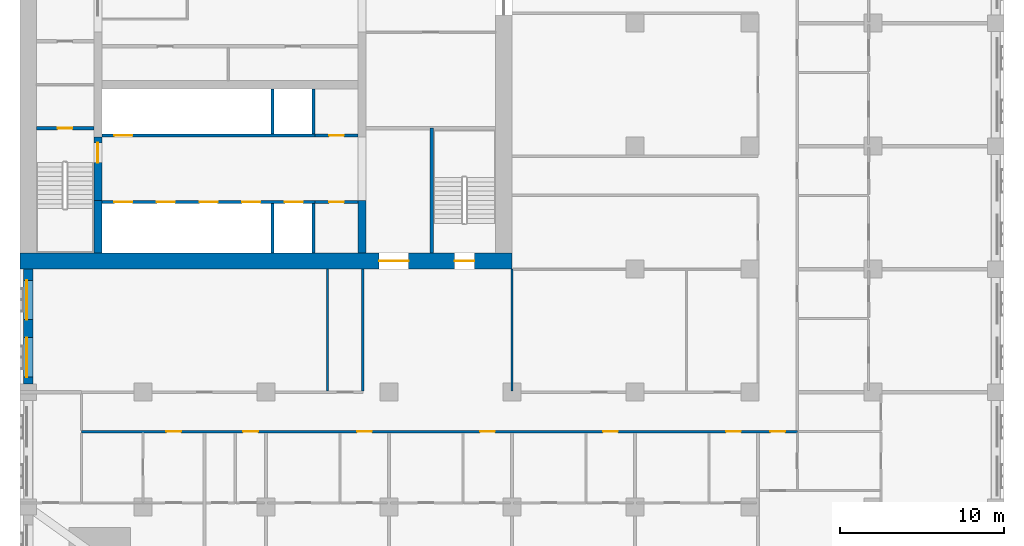
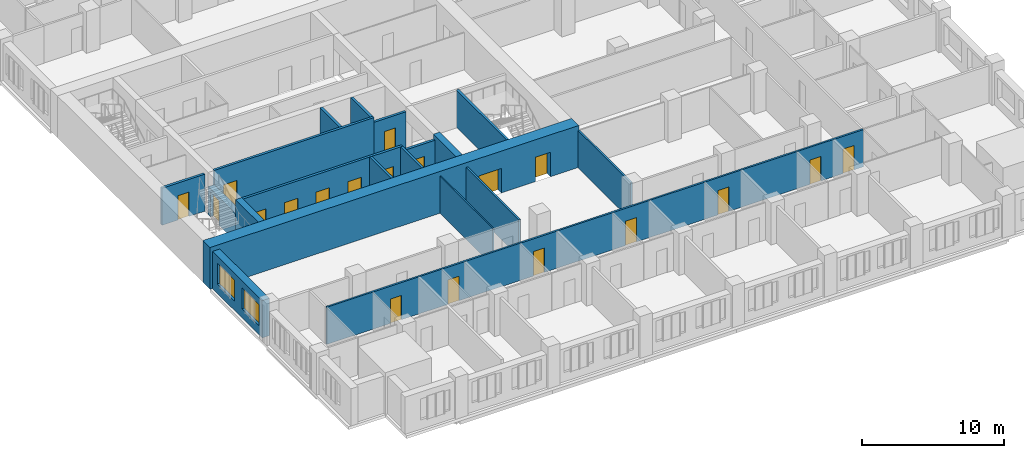
# One storey, part 5 of 14: 19 doors, 19 walls, 2 windows, 21 openings.
"""IFC4 building model written with IfcOpenShell, lengths in metres."""

import ifcopenshell
import ifcopenshell.guid

model = None  # the IFC model being written
_history = None  # IfcOwnerHistory: only IFC2X3 demands one
_inside = {}  # id of a spatial element -> (the spatial element, [elements in it])
_under = {}  # id of a project, library or spatial element -> (it, [spatial elements below it])
_declared = {}  # id of a project -> (the project, [libraries it declares])
_typed = {}  # id of a type object -> (the type object, [elements of that type])
_made_of = {}  # id of a material, layer set ... -> (it, [elements and type objects made of it])


def new_model(schema):
    """Start an empty IFC model of exactly this schema.

    Asked for "IFC4X3", IfcOpenShell would pick the latest addendum, in which some entities
    have other attributes; the version numbers below select the first issue.
    IFC2X3 requires an IfcOwnerHistory on every rooted entity: one is made here for all.
    """
    global model, _history
    if schema == "IFC4X3":
        model = ifcopenshell.file(schema_version=(4, 3, 0, 0))
    else:
        model = ifcopenshell.file(schema=schema)
    _inside.clear()
    _under.clear()
    _declared.clear()
    _typed.clear()
    _made_of.clear()
    _history = None
    if model.schema == "IFC2X3":
        org = make("IfcOrganization", Name="unknown")
        user = make(
            "IfcPersonAndOrganization",
            ThePerson=make("IfcPerson", FamilyName="unknown"),
            TheOrganization=org,
        )
        app = make(
            "IfcApplication",
            ApplicationDeveloper=org,
            Version="unknown",
            ApplicationFullName="unknown",
            ApplicationIdentifier="unknown",
        )
        _history = make(
            "IfcOwnerHistory",
            OwningUser=user,
            OwningApplication=app,
            ChangeAction="ADDED",
            CreationDate=0,
        )
    return model


def make(cls, **values):
    """One entity of the class cls with the attributes given. An attribute that is None is left unset."""
    return model.create_entity(
        cls, **{name: value for name, value in values.items() if value is not None}
    )


def rooted(cls, **values):
    """An entity with a GlobalId (a new one), such as an element, a storey or a relation."""
    return make(cls, GlobalId=ifcopenshell.guid.new(), OwnerHistory=_history, **values)


def si_unit(unit_type, name, prefix=None):
    """IfcSIUnit, for example si_unit("LENGTHUNIT", "METRE", prefix="MILLI")."""
    return make("IfcSIUnit", UnitType=unit_type, Prefix=prefix, Name=name)


def assignment(units):
    """IfcUnitAssignment: the units of a project."""
    return None if units is None else make("IfcUnitAssignment", Units=units)


def point(xyz):
    """IfcCartesianPoint."""
    return None if xyz is None else make("IfcCartesianPoint", Coordinates=xyz)


def direction(xyz):
    """IfcDirection."""
    return None if xyz is None else make("IfcDirection", DirectionRatios=xyz)


def frame(location, z_axis=None, x_axis=None):
    """IfcAxis2Placement3D, a coordinate frame: its origin and axes. An axis left out is left unset."""
    return make(
        "IfcAxis2Placement3D",
        Location=point(location),
        Axis=direction(z_axis),
        RefDirection=direction(x_axis),
    )


def frame_2d(location, x_axis=None):
    """IfcAxis2Placement2D, a coordinate frame in the plane: its origin and x axis."""
    return make(
        "IfcAxis2Placement2D", Location=point(location), RefDirection=direction(x_axis)
    )


def origin():
    """The frame at (0, 0, 0) with its axes left unset."""
    return frame((0.0, 0.0, 0.0))


def place(relative_to, where):
    """IfcLocalPlacement: puts the frame where relative to a parent placement (None: the world)."""
    return make(
        "IfcLocalPlacement", PlacementRelTo=relative_to, RelativePlacement=where
    )


def context(
    kind, dimensions, precision=None, world=None, true_north=None, identifier=None
):
    """IfcGeometricRepresentationContext, for example the 3D "Model" context."""
    return make(
        "IfcGeometricRepresentationContext",
        ContextIdentifier=identifier,
        ContextType=kind,
        CoordinateSpaceDimension=dimensions,
        Precision=precision,
        WorldCoordinateSystem=world,
        TrueNorth=true_north,
    )


def subcontext(parent, identifier, kind, view, scale=None):
    """IfcGeometricRepresentationSubContext, for example "Body" below "Model"."""
    return make(
        "IfcGeometricRepresentationSubContext",
        ContextIdentifier=identifier,
        ContextType=kind,
        ParentContext=parent,
        TargetScale=scale,
        TargetView=view,
    )


def project(units=None, contexts=None):
    """IfcProject with its units and contexts."""
    return rooted(
        "IfcProject",
        Name="project",
        RepresentationContexts=contexts,
        UnitsInContext=assignment(units),
    )


def spatial(cls, under=None, at=None, **own):
    """A site, building, storey or space (cls), placed at a placement, below another one or the project."""
    s = rooted(cls, ObjectPlacement=at, **own)
    if under is not None:
        _under.setdefault(under.id(), (under, []))[1].append(s)
    return s


def profile(cls, at=None, kind="AREA", **sizes):
    """A parametric profile (cls). Its sizes go by their IFC names, for example OverallWidth=200.0."""
    return make(cls, ProfileType=kind, Position=at, **sizes)


def rectangle(**sizes):
    """IfcRectangleProfileDef."""
    return profile("IfcRectangleProfileDef", **sizes)


def extrude(swept, where, along, depth):
    """IfcExtrudedAreaSolid: the profile swept, set in the frame where, extruded along a direction by depth."""
    return make(
        "IfcExtrudedAreaSolid",
        SweptArea=swept,
        Position=where,
        ExtrudedDirection=direction(along),
        Depth=depth,
    )


def shape(context_of_items, identifier, shape_type, items):
    """IfcShapeRepresentation: the items that make up one representation, for example the "Body"."""
    return make(
        "IfcShapeRepresentation",
        ContextOfItems=context_of_items,
        RepresentationIdentifier=identifier,
        RepresentationType=shape_type,
        Items=items,
    )


def material(Name=None, Category=None):
    """IfcMaterial."""
    return make("IfcMaterial", Name=Name, Category=Category)


def layer(
    of_material, thickness, ventilated=None, Name=None, Category=None, Priority=None
):
    """IfcMaterialLayer: one layer of a wall or slab, of a material (None: an air gap)."""
    return make(
        "IfcMaterialLayer",
        Material=of_material,
        LayerThickness=thickness,
        IsVentilated=ventilated,
        Name=Name,
        Category=Category,
        Priority=Priority,
    )


def layer_set(layers, Name=None):
    """IfcMaterialLayerSet."""
    return make("IfcMaterialLayerSet", MaterialLayers=layers, LayerSetName=Name)


def made_of(thing, what):
    """Note that an element or type object is made of a material, layer set ...; save() writes the relation."""
    if what is not None:
        _made_of.setdefault(what.id(), (what, []))[1].append(thing)
    return thing


def type_object(cls, material=None, **own):
    """A type object (cls), such as IfcWallType, which elements share."""
    return made_of(rooted(cls, **own), material)


def element(
    cls,
    number,
    at=None,
    inside=None,
    cuts=None,
    type_object=None,
    material=None,
    context=None,
    identifier="Body",
    shape_type=None,
    held_by="IfcProductDefinitionShape",
    body=None,
    shapes=None,
    **own,
):
    """One element of the class cls, such as IfcWall. Its Tag is "e" and its number.

    at: its placement. inside: the storey or other place that contains it. cuts: it is an
    opening in that element (IfcRelVoidsElement). A single representation is given by context,
    identifier, shape_type and body (its items); several are given by shapes. held_by: the class
    of the entity that holds the representations. save() writes the other relations.
    """
    e = rooted(cls, Tag="e%d" % number, ObjectPlacement=at, **own)
    if body is not None:
        shapes = [shape(context, identifier, shape_type, body)]
    if shapes is not None:
        e.Representation = make(held_by, Representations=shapes)
    if inside is not None:
        _inside.setdefault(inside.id(), (inside, []))[1].append(e)
    if cuts is not None:
        rooted(
            "IfcRelVoidsElement", RelatingBuildingElement=cuts, RelatedOpeningElement=e
        )
    if type_object is not None:
        _typed.setdefault(type_object.id(), (type_object, []))[1].append(e)
    return made_of(e, material)


def fill(opening, filler):
    """IfcRelFillsElement: the door or window that sits in an opening."""
    return rooted(
        "IfcRelFillsElement",
        RelatingOpeningElement=opening,
        RelatedBuildingElement=filler,
    )


def aggregate(whole, parts):
    """IfcRelAggregates: a whole, such as a stair, and the parts it consists of."""
    return rooted("IfcRelAggregates", RelatingObject=whole, RelatedObjects=parts)


def save(model, path):
    """Write the relations noted so far, then the file.

    IfcRelAggregates (storeys below a building ...), IfcRelContainedInSpatialStructure (elements
    in a storey), IfcRelDefinesByType, IfcRelAssociatesMaterial and IfcRelDeclares: one each for
    every whole, place, type object, material and project.
    """
    for whole, parts in _under.values():
        aggregate(whole, parts)
    for where, things in _inside.values():
        rooted(
            "IfcRelContainedInSpatialStructure",
            RelatedElements=things,
            RelatingStructure=where,
        )
    for kind, things in _typed.values():
        rooted("IfcRelDefinesByType", RelatedObjects=things, RelatingType=kind)
    for what, things in _made_of.values():
        rooted("IfcRelAssociatesMaterial", RelatedObjects=things, RelatingMaterial=what)
    for by, libraries in _declared.values():
        rooted("IfcRelDeclares", RelatingContext=by, RelatedDefinitions=libraries)
    model.write(path)


model = new_model("IFC4")

# Units and contexts
model_context = context("Model", 3, precision=1e-05, world=origin(), true_north=direction((0.0, 1.0)))
body_context = subcontext(model_context, "Body", "Model", "MODEL_VIEW")
ifc_project = project(units=[si_unit("LENGTHUNIT", "METRE"), si_unit("AREAUNIT", "SQUARE_METRE"), si_unit("VOLUMEUNIT", "CUBIC_METRE"), si_unit("PLANEANGLEUNIT", "RADIAN"), si_unit("MASSUNIT", "GRAM", prefix="KILO")], contexts=[model_context])

# Site, building, storey
site_placement = place(None, origin())
site = spatial("IfcSite", under=ifc_project, at=site_placement, CompositionType="ELEMENT")
building_placement = place(site_placement, origin())
building = spatial("IfcBuilding", under=site, at=building_placement, Name="Tamorin Gate", CompositionType="ELEMENT")
storey_placement = place(building_placement, frame((0.0, 0.0, 115.10009765625)))
storey = spatial("IfcBuildingStorey", under=building, at=storey_placement, Name="L28", CompositionType="ELEMENT", Elevation=115.10009765625)

# Wall, openings, windows
ifc_material_1 = material(Name="Precast concrete C40/50", Category="concrete")
ifc_layer_1 = layer(ifc_material_1, 0.60009765625)
ifc_layer_set_1 = layer_set([ifc_layer_1], Name="Precast concrete C40/50")
wall_type_1 = type_object("IfcWallType", Name="Board-marked concrete facade panel 600", PredefinedType="SOLIDWALL", material=ifc_layer_set_1)
wall_1_placement = place(storey_placement, frame((30.5, 60.0, 0.0), z_axis=(0.0, 0.0, 1.0), x_axis=(0.0, -1.0, 0.0)))
wall_1 = element("IfcWall", 1, at=wall_1_placement, inside=storey, type_object=wall_type_1, Name="Facade panel", PredefinedType="SOLIDWALL", context=body_context, shape_type="SweptSolid", body=[
    extrude(rectangle(XDim=7.0, YDim=0.60009765625, at=frame_2d((3.5, 0.0))), origin(), (0.0, 0.0, 1.0), 3.199951171875),
])
opening_1_placement = place(wall_1_placement, frame((4.175048828125, 0.0, 0.800048828125)))
opening_1 = element("IfcOpeningElement", 2, at=opening_1_placement, cuts=wall_1, Name="Opening WN1", PredefinedType="OPENING", context=body_context, shape_type="SweptSolid", body=[
    extrude(rectangle(XDim=2.39990234375, YDim=1.800048828125, at=frame_2d((1.199951171875, 0.89990234375))), frame((0.0, 0.31005859375, 0.0), z_axis=(0.0, -1.0, 0.0), x_axis=(1.0, 0.0, 0.0)), (0.0, 0.0, 1.0), 0.6201171875),
])
opening_2_placement = place(wall_1_placement, frame((0.675048828125, 0.0, 0.800048828125)))
opening_2 = element("IfcOpeningElement", 3, at=opening_2_placement, cuts=wall_1, Name="Opening WN1", PredefinedType="OPENING", context=body_context, shape_type="SweptSolid", body=[
    extrude(rectangle(XDim=2.39990234375, YDim=1.800048828125, at=frame_2d((1.199951171875, 0.89990234375))), frame((0.0, 0.31005859375, 0.0), z_axis=(0.0, -1.0, 0.0), x_axis=(1.0, 0.0, 0.0)), (0.0, 0.0, 1.0), 0.6201171875),
])
ifc_material_2 = material(Name="Clear glass in aluminium frame", Category="aluminium")
window_type = type_object("IfcWindowType", Name="Deep-set window 2400x1800", PartitioningType="SINGLE_PANEL", PredefinedType="WINDOW", material=ifc_material_2)
window_1_placement = place(opening_1_placement, origin())
window_1 = element("IfcWindow", 4, at=window_1_placement, inside=storey, type_object=window_type, Name="Deep-set window", OverallHeight=1.800048828125, OverallWidth=2.39990234375, PartitioningType="SINGLE_PANEL", PredefinedType="WINDOW", context=body_context, shape_type="SweptSolid", body=[
    extrude(rectangle(XDim=2.39990234375, YDim=1.800048828125, at=frame_2d((1.199951171875, 0.89990234375))), frame((0.0, -0.070068359375, 0.0), z_axis=(0.0, -1.0, 0.0), x_axis=(1.0, 0.0, 0.0)), (0.0, 0.0, 1.0), 0.06005859375),
])
fill(opening_1, window_1)
window_2_placement = place(opening_2_placement, origin())
window_2 = element("IfcWindow", 5, at=window_2_placement, inside=storey, type_object=window_type, Name="Deep-set window", OverallHeight=1.800048828125, OverallWidth=2.39990234375, PartitioningType="SINGLE_PANEL", PredefinedType="WINDOW", context=body_context, shape_type="SweptSolid", body=[
    extrude(rectangle(XDim=2.39990234375, YDim=1.800048828125, at=frame_2d((1.199951171875, 0.89990234375))), frame((0.0, -0.070068359375, 0.0), z_axis=(0.0, -1.0, 0.0), x_axis=(1.0, 0.0, 0.0)), (0.0, 0.0, 1.0), 0.06005859375),
])
fill(opening_2, window_2)

# Wall, openings, doors
ifc_material_3 = material(Name="Gypsum board partition")
ifc_layer_2 = layer(ifc_material_3, 0.14990234375)
ifc_layer_set_2 = layer_set([ifc_layer_2], Name="Corridor wall 150")
wall_type_2 = type_object("IfcWallType", Name="Corridor wall 150", PredefinedType="PARTITIONING", material=ifc_layer_set_2)
wall_2_placement = place(storey_placement, frame((33.75, 50.10009765625, 0.0), z_axis=(0.0, 0.0, 1.0), x_axis=(1.0, 0.0, 0.0)))
wall_2 = element("IfcWall", 6, at=wall_2_placement, inside=storey, type_object=wall_type_2, Name="Corridor wall 150", PredefinedType="PARTITIONING", context=body_context, shape_type="SweptSolid", body=[
    extrude(rectangle(XDim=43.64990234375, YDim=0.14990234375, at=frame_2d((21.824951171875, 0.0))), origin(), (0.0, 0.0, 1.0), 3.199951171875),
])
opening_3_placement = place(wall_2_placement, frame((5.175048828125, 0.0, 0.0)))
opening_3 = element("IfcOpeningElement", 7, at=opening_3_placement, cuts=wall_2, Name="Opening DH7003", PredefinedType="OPENING", context=body_context, shape_type="SweptSolid", body=[
    extrude(rectangle(XDim=0.89990234375, YDim=2.10009765625, at=frame_2d((0.449951171875, 1.050048828125))), frame((0.0, 0.0849609375, 0.0), z_axis=(0.0, -1.0, 0.0), x_axis=(1.0, 0.0, 0.0)), (0.0, 0.0, 1.0), 0.169921875),
])
opening_4_placement = place(wall_2_placement, frame((9.862548828125, 0.0, 0.0)))
opening_4 = element("IfcOpeningElement", 8, at=opening_4_placement, cuts=wall_2, Name="Opening DH7006", PredefinedType="OPENING", context=body_context, shape_type="SweptSolid", body=[
    extrude(rectangle(XDim=0.89990234375, YDim=2.10009765625, at=frame_2d((0.449951171875, 1.050048828125))), frame((0.0, 0.0849609375, 0.0), z_axis=(0.0, -1.0, 0.0), x_axis=(1.0, 0.0, 0.0)), (0.0, 0.0, 1.0), 0.169921875),
])
opening_5_placement = place(wall_2_placement, frame((16.800048828125, 0.0, 0.0)))
opening_5 = element("IfcOpeningElement", 9, at=opening_5_placement, cuts=wall_2, Name="Opening DH7009", PredefinedType="OPENING", context=body_context, shape_type="SweptSolid", body=[
    extrude(rectangle(XDim=0.89990234375, YDim=2.10009765625, at=frame_2d((0.449951171875, 1.050048828125))), frame((0.0, 0.0849609375, 0.0), z_axis=(0.0, -1.0, 0.0), x_axis=(1.0, 0.0, 0.0)), (0.0, 0.0, 1.0), 0.169921875),
])
opening_6_placement = place(wall_2_placement, frame((24.300048828125, 0.0, 0.0)))
opening_6 = element("IfcOpeningElement", 10, at=opening_6_placement, cuts=wall_2, Name="Opening DH7012", PredefinedType="OPENING", context=body_context, shape_type="SweptSolid", body=[
    extrude(rectangle(XDim=0.89990234375, YDim=2.10009765625, at=frame_2d((0.449951171875, 1.050048828125))), frame((0.0, 0.0849609375, 0.0), z_axis=(0.0, -1.0, 0.0), x_axis=(1.0, 0.0, 0.0)), (0.0, 0.0, 1.0), 0.169921875),
])
opening_7_placement = place(wall_2_placement, frame((31.800048828125, 0.0, 0.0)))
opening_7 = element("IfcOpeningElement", 11, at=opening_7_placement, cuts=wall_2, Name="Opening DH7015", PredefinedType="OPENING", context=body_context, shape_type="SweptSolid", body=[
    extrude(rectangle(XDim=0.89990234375, YDim=2.10009765625, at=frame_2d((0.449951171875, 1.050048828125))), frame((0.0, 0.0849609375, 0.0), z_axis=(0.0, -1.0, 0.0), x_axis=(1.0, 0.0, 0.0)), (0.0, 0.0, 1.0), 0.169921875),
])
opening_8_placement = place(wall_2_placement, frame((39.300048828125, 0.0, 0.0)))
opening_8 = element("IfcOpeningElement", 12, at=opening_8_placement, cuts=wall_2, Name="Opening DH7018", PredefinedType="OPENING", context=body_context, shape_type="SweptSolid", body=[
    extrude(rectangle(XDim=0.89990234375, YDim=2.10009765625, at=frame_2d((0.449951171875, 1.050048828125))), frame((0.0, 0.0849609375, 0.0), z_axis=(0.0, -1.0, 0.0), x_axis=(1.0, 0.0, 0.0)), (0.0, 0.0, 1.0), 0.169921875),
])
opening_9_placement = place(wall_2_placement, frame((42.0, 0.0, 0.0)))
opening_9 = element("IfcOpeningElement", 13, at=opening_9_placement, cuts=wall_2, Name="Opening DH7054", PredefinedType="OPENING", context=body_context, shape_type="SweptSolid", body=[
    extrude(rectangle(XDim=0.89990234375, YDim=2.10009765625, at=frame_2d((0.449951171875, 1.050048828125))), frame((0.0, 0.0849609375, 0.0), z_axis=(0.0, -1.0, 0.0), x_axis=(1.0, 0.0, 0.0)), (0.0, 0.0, 1.0), 0.169921875),
])
ifc_material_4 = material(Name="Timber door leaf", Category="wood")
door_type_1 = type_object("IfcDoorType", Name="Door 900 x 2100 FD30S", OperationType="NOTDEFINED", PredefinedType="DOOR", material=ifc_material_4)
door_1_placement = place(opening_3_placement, origin())
door_1 = element("IfcDoor", 14, at=door_1_placement, inside=storey, type_object=door_type_1, Name="Door DH7003", OperationType="SINGLE_SWING_RIGHT", OverallHeight=2.10009765625, OverallWidth=0.89990234375, PredefinedType="DOOR", context=body_context, shape_type="SweptSolid", body=[
    extrude(rectangle(XDim=0.89990234375, YDim=2.10009765625, at=frame_2d((0.449951171875, 1.050048828125))), frame((0.0, 0.02490234375, 0.0), z_axis=(0.0, -1.0, 0.0), x_axis=(1.0, 0.0, 0.0)), (0.0, 0.0, 1.0), 0.050048828125),
])
fill(opening_3, door_1)
door_2_placement = place(opening_4_placement, origin())
door_2 = element("IfcDoor", 15, at=door_2_placement, inside=storey, type_object=door_type_1, Name="Door DH7006", OperationType="SINGLE_SWING_RIGHT", OverallHeight=2.10009765625, OverallWidth=0.89990234375, PredefinedType="DOOR", context=body_context, shape_type="SweptSolid", body=[
    extrude(rectangle(XDim=0.89990234375, YDim=2.10009765625, at=frame_2d((0.449951171875, 1.050048828125))), frame((0.0, 0.02490234375, 0.0), z_axis=(0.0, -1.0, 0.0), x_axis=(1.0, 0.0, 0.0)), (0.0, 0.0, 1.0), 0.050048828125),
])
fill(opening_4, door_2)
door_3_placement = place(opening_5_placement, origin())
door_3 = element("IfcDoor", 16, at=door_3_placement, inside=storey, type_object=door_type_1, Name="Door DH7009", OperationType="SINGLE_SWING_RIGHT", OverallHeight=2.10009765625, OverallWidth=0.89990234375, PredefinedType="DOOR", context=body_context, shape_type="SweptSolid", body=[
    extrude(rectangle(XDim=0.89990234375, YDim=2.10009765625, at=frame_2d((0.449951171875, 1.050048828125))), frame((0.0, 0.02490234375, 0.0), z_axis=(0.0, -1.0, 0.0), x_axis=(1.0, 0.0, 0.0)), (0.0, 0.0, 1.0), 0.050048828125),
])
fill(opening_5, door_3)
door_4_placement = place(opening_6_placement, origin())
door_4 = element("IfcDoor", 17, at=door_4_placement, inside=storey, type_object=door_type_1, Name="Door DH7012", OperationType="SINGLE_SWING_RIGHT", OverallHeight=2.10009765625, OverallWidth=0.89990234375, PredefinedType="DOOR", context=body_context, shape_type="SweptSolid", body=[
    extrude(rectangle(XDim=0.89990234375, YDim=2.10009765625, at=frame_2d((0.449951171875, 1.050048828125))), frame((0.0, 0.02490234375, 0.0), z_axis=(0.0, -1.0, 0.0), x_axis=(1.0, 0.0, 0.0)), (0.0, 0.0, 1.0), 0.050048828125),
])
fill(opening_6, door_4)
door_5_placement = place(opening_7_placement, origin())
door_5 = element("IfcDoor", 18, at=door_5_placement, inside=storey, type_object=door_type_1, Name="Door DH7015", OperationType="SINGLE_SWING_RIGHT", OverallHeight=2.10009765625, OverallWidth=0.89990234375, PredefinedType="DOOR", context=body_context, shape_type="SweptSolid", body=[
    extrude(rectangle(XDim=0.89990234375, YDim=2.10009765625, at=frame_2d((0.449951171875, 1.050048828125))), frame((0.0, 0.02490234375, 0.0), z_axis=(0.0, -1.0, 0.0), x_axis=(1.0, 0.0, 0.0)), (0.0, 0.0, 1.0), 0.050048828125),
])
fill(opening_7, door_5)
door_6_placement = place(opening_8_placement, origin())
door_6 = element("IfcDoor", 19, at=door_6_placement, inside=storey, type_object=door_type_1, Name="Door DH7018", OperationType="SINGLE_SWING_RIGHT", OverallHeight=2.10009765625, OverallWidth=0.89990234375, PredefinedType="DOOR", context=body_context, shape_type="SweptSolid", body=[
    extrude(rectangle(XDim=0.89990234375, YDim=2.10009765625, at=frame_2d((0.449951171875, 1.050048828125))), frame((0.0, 0.02490234375, 0.0), z_axis=(0.0, -1.0, 0.0), x_axis=(1.0, 0.0, 0.0)), (0.0, 0.0, 1.0), 0.050048828125),
])
fill(opening_8, door_6)
door_7_placement = place(opening_9_placement, origin())
door_7 = element("IfcDoor", 20, at=door_7_placement, inside=storey, type_object=door_type_1, Name="Door DH7054", OperationType="SINGLE_SWING_LEFT", OverallHeight=2.10009765625, OverallWidth=0.89990234375, PredefinedType="DOOR", context=body_context, shape_type="SweptSolid", body=[
    extrude(rectangle(XDim=0.89990234375, YDim=2.10009765625, at=frame_2d((0.449951171875, 1.050048828125))), frame((0.0, 0.02490234375, 0.0), z_axis=(0.0, -1.0, 0.0), x_axis=(1.0, 0.0, 0.0)), (0.0, 0.0, 1.0), 0.050048828125),
])
fill(opening_9, door_7)

ifc_material_5 = material(Name="Concrete C32/40", Category="concrete")
ifc_layer_3 = layer(ifc_material_5, 0.199951171875)
ifc_layer_set_3 = layer_set([ifc_layer_3], Name="Lift lobby face wall 200 EI 120")
wall_type_3 = type_object("IfcWallType", Name="Lift lobby face wall 200 EI 120", PredefinedType="SOLIDWALL", material=ifc_layer_set_3)
wall_3_placement = place(storey_placement, frame((35.0, 64.10009765625, 0.0), z_axis=(0.0, 0.0, 1.0), x_axis=(1.0, 0.0, 0.0)))
wall_3 = element("IfcWall", 21, at=wall_3_placement, inside=storey, type_object=wall_type_3, Name="Lift lobby face wall", PredefinedType="SOLIDWALL", context=body_context, shape_type="SweptSolid", body=[
    extrude(rectangle(XDim=13.0, YDim=0.199951171875, at=frame_2d((6.5, 0.0))), origin(), (0.0, 0.0, 1.0), 3.599853515625),
])
opening_10_placement = place(wall_3_placement, frame((0.75, 0.0, 0.0)))
opening_10 = element("IfcOpeningElement", 22, at=opening_10_placement, cuts=wall_3, Name="Opening LD1", PredefinedType="OPENING", context=body_context, shape_type="SweptSolid", body=[
    extrude(rectangle(XDim=1.10009765625, YDim=2.10009765625, at=frame_2d((0.550048828125, 1.050048828125))), frame((0.0, 0.10986328125, 0.0), z_axis=(0.0, -1.0, 0.0), x_axis=(1.0, 0.0, 0.0)), (0.0, 0.0, 1.0), 0.219970703125),
])
opening_11_placement = place(wall_3_placement, frame((3.35009765625, 0.0, 0.0)))
opening_11 = element("IfcOpeningElement", 23, at=opening_11_placement, cuts=wall_3, Name="Opening LD2", PredefinedType="OPENING", context=body_context, shape_type="SweptSolid", body=[
    extrude(rectangle(XDim=1.10009765625, YDim=2.10009765625, at=frame_2d((0.550048828125, 1.050048828125))), frame((0.0, 0.10986328125, 0.0), z_axis=(0.0, -1.0, 0.0), x_axis=(1.0, 0.0, 0.0)), (0.0, 0.0, 1.0), 0.219970703125),
])
opening_12_placement = place(wall_3_placement, frame((5.949951171875, 0.0, 0.0)))
opening_12 = element("IfcOpeningElement", 24, at=opening_12_placement, cuts=wall_3, Name="Opening LD3", PredefinedType="OPENING", context=body_context, shape_type="SweptSolid", body=[
    extrude(rectangle(XDim=1.10009765625, YDim=2.10009765625, at=frame_2d((0.550048828125, 1.050048828125))), frame((0.0, 0.10986328125, 0.0), z_axis=(0.0, -1.0, 0.0), x_axis=(1.0, 0.0, 0.0)), (0.0, 0.0, 1.0), 0.219970703125),
])
opening_13_placement = place(wall_3_placement, frame((8.550048828125, 0.0, 0.0)))
opening_13 = element("IfcOpeningElement", 25, at=opening_13_placement, cuts=wall_3, Name="Opening LD4", PredefinedType="OPENING", context=body_context, shape_type="SweptSolid", body=[
    extrude(rectangle(XDim=1.10009765625, YDim=2.10009765625, at=frame_2d((0.550048828125, 1.050048828125))), frame((0.0, 0.10986328125, 0.0), z_axis=(0.0, -1.0, 0.0), x_axis=(1.0, 0.0, 0.0)), (0.0, 0.0, 1.0), 0.219970703125),
])
opening_14_placement = place(wall_3_placement, frame((11.14990234375, 0.0, 0.0)))
opening_14 = element("IfcOpeningElement", 26, at=opening_14_placement, cuts=wall_3, Name="Opening LD5", PredefinedType="OPENING", context=body_context, shape_type="SweptSolid", body=[
    extrude(rectangle(XDim=1.10009765625, YDim=2.10009765625, at=frame_2d((0.550048828125, 1.050048828125))), frame((0.0, 0.10986328125, 0.0), z_axis=(0.0, -1.0, 0.0), x_axis=(1.0, 0.0, 0.0)), (0.0, 0.0, 1.0), 0.219970703125),
])
ifc_material_6 = material(Name="Stainless steel sliding door", Category="steel")
door_type_2 = type_object("IfcDoorType", Name="Lift landing door 1100 x 2100 E 90", OperationType="DOUBLE_DOOR_SLIDING", PredefinedType="DOOR", material=ifc_material_6)
door_8_placement = place(opening_10_placement, origin())
door_8 = element("IfcDoor", 27, at=door_8_placement, inside=storey, type_object=door_type_2, Name="LR1 landing door", OperationType="DOUBLE_DOOR_SLIDING", OverallHeight=2.10009765625, OverallWidth=1.10009765625, PredefinedType="DOOR", context=body_context, shape_type="SweptSolid", body=[
    extrude(rectangle(XDim=1.10009765625, YDim=2.10009765625, at=frame_2d((0.550048828125, 1.050048828125))), frame((0.0, 0.02490234375, 0.0), z_axis=(0.0, -1.0, 0.0), x_axis=(1.0, 0.0, 0.0)), (0.0, 0.0, 1.0), 0.050048828125),
])
fill(opening_10, door_8)
door_9_placement = place(opening_11_placement, origin())
door_9 = element("IfcDoor", 28, at=door_9_placement, inside=storey, type_object=door_type_2, Name="LR2 landing door", OperationType="DOUBLE_DOOR_SLIDING", OverallHeight=2.10009765625, OverallWidth=1.10009765625, PredefinedType="DOOR", context=body_context, shape_type="SweptSolid", body=[
    extrude(rectangle(XDim=1.10009765625, YDim=2.10009765625, at=frame_2d((0.550048828125, 1.050048828125))), frame((0.0, 0.02490234375, 0.0), z_axis=(0.0, -1.0, 0.0), x_axis=(1.0, 0.0, 0.0)), (0.0, 0.0, 1.0), 0.050048828125),
])
fill(opening_11, door_9)
door_10_placement = place(opening_12_placement, origin())
door_10 = element("IfcDoor", 29, at=door_10_placement, inside=storey, type_object=door_type_2, Name="LR3 landing door", OperationType="DOUBLE_DOOR_SLIDING", OverallHeight=2.10009765625, OverallWidth=1.10009765625, PredefinedType="DOOR", context=body_context, shape_type="SweptSolid", body=[
    extrude(rectangle(XDim=1.10009765625, YDim=2.10009765625, at=frame_2d((0.550048828125, 1.050048828125))), frame((0.0, 0.02490234375, 0.0), z_axis=(0.0, -1.0, 0.0), x_axis=(1.0, 0.0, 0.0)), (0.0, 0.0, 1.0), 0.050048828125),
])
fill(opening_12, door_10)
door_11_placement = place(opening_13_placement, origin())
door_11 = element("IfcDoor", 30, at=door_11_placement, inside=storey, type_object=door_type_2, Name="LR4 landing door", OperationType="DOUBLE_DOOR_SLIDING", OverallHeight=2.10009765625, OverallWidth=1.10009765625, PredefinedType="DOOR", context=body_context, shape_type="SweptSolid", body=[
    extrude(rectangle(XDim=1.10009765625, YDim=2.10009765625, at=frame_2d((0.550048828125, 1.050048828125))), frame((0.0, 0.02490234375, 0.0), z_axis=(0.0, -1.0, 0.0), x_axis=(1.0, 0.0, 0.0)), (0.0, 0.0, 1.0), 0.050048828125),
])
fill(opening_13, door_11)
door_12_placement = place(opening_14_placement, origin())
door_12 = element("IfcDoor", 31, at=door_12_placement, inside=storey, type_object=door_type_2, Name="LR5 landing door", OperationType="DOUBLE_DOOR_SLIDING", OverallHeight=2.10009765625, OverallWidth=1.10009765625, PredefinedType="DOOR", context=body_context, shape_type="SweptSolid", body=[
    extrude(rectangle(XDim=1.10009765625, YDim=2.10009765625, at=frame_2d((0.550048828125, 1.050048828125))), frame((0.0, 0.02490234375, 0.0), z_axis=(0.0, -1.0, 0.0), x_axis=(1.0, 0.0, 0.0)), (0.0, 0.0, 1.0), 0.050048828125),
])
fill(opening_14, door_12)

# Wall, opening, door
wall_4_placement = place(storey_placement, frame((35.0, 68.14990234375, 0.0), z_axis=(0.0, 0.0, 1.0), x_axis=(1.0, 0.0, 0.0)))
wall_4 = element("IfcWall", 32, at=wall_4_placement, inside=storey, type_object=wall_type_3, Name="Lift lobby face wall", PredefinedType="SOLIDWALL", context=body_context, shape_type="SweptSolid", body=[
    extrude(rectangle(XDim=13.0, YDim=0.199951171875, at=frame_2d((6.5, 0.0))), origin(), (0.0, 0.0, 1.0), 3.599853515625),
])
opening_15_placement = place(wall_4_placement, frame((0.75, 0.0, 0.0)))
opening_15 = element("IfcOpeningElement", 33, at=opening_15_placement, cuts=wall_4, Name="Opening LD6", PredefinedType="OPENING", context=body_context, shape_type="SweptSolid", body=[
    extrude(rectangle(XDim=1.10009765625, YDim=2.10009765625, at=frame_2d((0.550048828125, 1.050048828125))), frame((0.0, 0.10986328125, 0.0), z_axis=(0.0, -1.0, 0.0), x_axis=(1.0, 0.0, 0.0)), (0.0, 0.0, 1.0), 0.219970703125),
])
door_13_placement = place(opening_15_placement, origin())
door_13 = element("IfcDoor", 34, at=door_13_placement, inside=storey, type_object=door_type_2, Name="LR6 landing door", OperationType="DOUBLE_DOOR_SLIDING", OverallHeight=2.10009765625, OverallWidth=1.10009765625, PredefinedType="DOOR", context=body_context, shape_type="SweptSolid", body=[
    extrude(rectangle(XDim=1.10009765625, YDim=2.10009765625, at=frame_2d((0.550048828125, 1.050048828125))), frame((0.0, 0.02490234375, 0.0), z_axis=(0.0, -1.0, 0.0), x_axis=(1.0, 0.0, 0.0)), (0.0, 0.0, 1.0), 0.050048828125),
])
fill(opening_15, door_13)

# Walls
ifc_layer_4 = layer(ifc_material_5, 0.199951171875)
ifc_layer_set_4 = layer_set([ifc_layer_4], Name="Lift shaft wall 200 EI 120")
wall_type_4 = type_object("IfcWallType", Name="Lift shaft wall 200 EI 120", PredefinedType="SOLIDWALL", material=ifc_layer_set_4)
for number, where, z_axis, x_axis, name in (
    (35, (45.39990234375, 61.0, 0.0), (0.0, 0.0, 1.0), (0.0, 1.0, 0.0), "Lift shaft wall"),
    (36, (47.89990234375, 61.0, 0.0), (0.0, 0.0, 1.0), (0.0, 1.0, 0.0), "Lift shaft wall"),
):
    element("IfcWall", number, at=place(storey_placement, frame(where, z_axis=z_axis, x_axis=x_axis)), inside=storey, type_object=wall_type_4, Name=name, PredefinedType="SOLIDWALL", context=body_context, shape_type="SweptSolid", body=[
        extrude(rectangle(XDim=3.0, YDim=0.199951171875, at=frame_2d((1.5, 0.0))), origin(), (0.0, 0.0, 1.0), 3.599853515625),
    ])
for number, where, z_axis, x_axis, name in (
    (37, (45.39990234375, 68.25, 0.0), (0.0, 0.0, 1.0), (0.0, 1.0, 0.0), "Lift shaft wall"),
    (38, (47.89990234375, 68.25, 0.0), (0.0, 0.0, 1.0), (0.0, 1.0, 0.0), "Lift shaft wall"),
):
    element("IfcWall", number, at=place(storey_placement, frame(where, z_axis=z_axis, x_axis=x_axis)), inside=storey, type_object=wall_type_4, Name=name, PredefinedType="SOLIDWALL", context=body_context, shape_type="SweptSolid", body=[
        extrude(rectangle(XDim=2.75, YDim=0.199951171875, at=frame_2d((1.375, 0.0))), origin(), (0.0, 0.0, 1.0), 3.599853515625),
    ])
ifc_layer_5 = layer(ifc_material_3, 0.14990234375)
ifc_layer_set_5 = layer_set([ifc_layer_5], Name="Lobby wall 150")
wall_type_5 = type_object("IfcWallType", Name="Lobby wall 150", PredefinedType="PARTITIONING", material=ifc_layer_set_5)
for number, where, z_axis, x_axis, name in (
    (39, (50.89990234375, 52.574951171875, 0.0), (0.0, 0.0, 1.0), (0.0, 1.0, 0.0), "Lobby wall 150"),
    (40, (60.0, 52.574951171875, 0.0), (0.0, 0.0, 1.0), (0.0, 1.0, 0.0), "Lobby wall 150"),
):
    element("IfcWall", number, at=place(storey_placement, frame(where, z_axis=z_axis, x_axis=x_axis)), inside=storey, type_object=wall_type_5, Name=name, PredefinedType="PARTITIONING", context=body_context, shape_type="SweptSolid", body=[
        extrude(rectangle(XDim=7.425048828125, YDim=0.14990234375, at=frame_2d((3.71240234375, 0.0))), origin(), (0.0, 0.0, 1.0), 3.199951171875),
    ])
ifc_material_7 = material(Name="Concrete C80/95", Category="concrete")
ifc_layer_6 = layer(ifc_material_7, 0.5)
ifc_layer_set_6 = layer_set([ifc_layer_6], Name="RC core internal wall 500 C80/95")
wall_type_6 = type_object("IfcWallType", Name="RC core internal wall 500 C80/95", PredefinedType="SHEAR", material=ifc_layer_set_6)
for number, where, z_axis, x_axis, name in (
    (41, (34.75, 61.0, 0.0), (0.0, 0.0, 1.0), (0.0, 1.0, 0.0), "Core cross wall L28"),
    (42, (50.85009765625, 61.0, 0.0), (0.0, 0.0, 1.0), (0.0, 1.0, 0.0), "Core cross wall L28"),
):
    element("IfcWall", number, at=place(storey_placement, frame(where, z_axis=z_axis, x_axis=x_axis)), inside=storey, type_object=wall_type_6, Name=name, PredefinedType="SHEAR", context=body_context, shape_type="SweptSolid", body=[
        extrude(rectangle(XDim=3.199951171875, YDim=0.5, at=frame_2d((1.60009765625, 0.0))), origin(), (0.0, 0.0, 1.0), 3.599853515625),
    ])

# Wall, openings, doors
ifc_layer_7 = layer(ifc_material_7, 1.0)
ifc_layer_set_7 = layer_set([ifc_layer_7], Name="RC core wall 1000 C80/95")
wall_type_7 = type_object("IfcWallType", Name="RC core wall 1000 C80/95", PredefinedType="SHEAR", material=ifc_layer_set_7)
wall_5_placement = place(storey_placement, frame((30.0, 60.5, 0.0), z_axis=(0.0, 0.0, 1.0), x_axis=(1.0, 0.0, 0.0)))
wall_5 = element("IfcWall", 43, at=wall_5_placement, inside=storey, type_object=wall_type_7, Name="Core wall L28", PredefinedType="SHEAR", context=body_context, shape_type="SweptSolid", body=[
    extrude(rectangle(XDim=30.0, YDim=1.0, at=frame_2d((15.0, 0.0))), origin(), (0.0, 0.0, 1.0), 3.599853515625),
])
opening_16_placement = place(wall_5_placement, frame((21.89990234375, 0.0, 0.0)))
opening_16 = element("IfcOpeningElement", 44, at=opening_16_placement, cuts=wall_5, Name="Opening DE1", PredefinedType="OPENING", context=body_context, shape_type="SweptSolid", body=[
    extrude(rectangle(XDim=1.800048828125, YDim=2.10009765625, at=frame_2d((0.89990234375, 1.050048828125))), frame((0.0, 0.510009765625, 0.0), z_axis=(0.0, -1.0, 0.0), x_axis=(1.0, 0.0, 0.0)), (0.0, 0.0, 1.0), 1.02001953125),
])
opening_17_placement = place(wall_5_placement, frame((26.5, 0.0, 0.0)))
opening_17 = element("IfcOpeningElement", 45, at=opening_17_placement, cuts=wall_5, Name="Opening DS1", PredefinedType="OPENING", context=body_context, shape_type="SweptSolid", body=[
    extrude(rectangle(XDim=1.199951171875, YDim=2.10009765625, at=frame_2d((0.60009765625, 1.050048828125))), frame((0.0, 0.510009765625, 0.0), z_axis=(0.0, -1.0, 0.0), x_axis=(1.0, 0.0, 0.0)), (0.0, 0.0, 1.0), 1.02001953125),
])
ifc_material_8 = material(Name="Steel fire door", Category="steel")
door_type_3 = type_object("IfcDoorType", Name="Lobby exit double door 1800 x 2100 EI 60", OperationType="DOUBLE_DOOR_SINGLE_SWING", PredefinedType="DOOR", material=ifc_material_8)
door_14_placement = place(opening_16_placement, origin())
door_14 = element("IfcDoor", 46, at=door_14_placement, inside=storey, type_object=door_type_3, Name="Lift lobby A exit door", OperationType="DOUBLE_DOOR_SINGLE_SWING", OverallHeight=2.10009765625, OverallWidth=1.800048828125, PredefinedType="DOOR", context=body_context, shape_type="SweptSolid", body=[
    extrude(rectangle(XDim=1.800048828125, YDim=2.10009765625, at=frame_2d((0.89990234375, 1.050048828125))), frame((0.0, 0.02490234375, 0.0), z_axis=(0.0, -1.0, 0.0), x_axis=(1.0, 0.0, 0.0)), (0.0, 0.0, 1.0), 0.050048828125),
])
fill(opening_16, door_14)
door_type_4 = type_object("IfcDoorType", Name="Stair door 1200 x 2100 EI 90", OperationType="SINGLE_SWING_LEFT", PredefinedType="DOOR", material=ifc_material_8)
door_15_placement = place(opening_17_placement, origin())
door_15 = element("IfcDoor", 47, at=door_15_placement, inside=storey, type_object=door_type_4, Name="ST3 door", OperationType="SINGLE_SWING_LEFT", OverallHeight=2.10009765625, OverallWidth=1.199951171875, PredefinedType="DOOR", context=body_context, shape_type="SweptSolid", body=[
    extrude(rectangle(XDim=1.199951171875, YDim=2.10009765625, at=frame_2d((0.60009765625, 1.050048828125))), frame((0.0, 0.02490234375, 0.0), z_axis=(0.0, -1.0, 0.0), x_axis=(1.0, 0.0, 0.0)), (0.0, 0.0, 1.0), 0.050048828125),
])
fill(opening_17, door_15)

# Wall
ifc_layer_8 = layer(ifc_material_3, 0.10009765625)
ifc_layer_set_8 = layer_set([ifc_layer_8], Name="Room partition 100")
wall_type_8 = type_object("IfcWallType", Name="Room partition 100", PredefinedType="PARTITIONING", material=ifc_layer_set_8)
wall_6_placement = place(storey_placement, frame((48.75, 52.574951171875, 0.0), z_axis=(0.0, 0.0, 1.0), x_axis=(0.0, 1.0, 0.0)))
element("IfcWall", 48, at=wall_6_placement, inside=storey, type_object=wall_type_8, Name="Room partition 100", PredefinedType="PARTITIONING", context=body_context, shape_type="SweptSolid", body=[
    extrude(rectangle(XDim=7.425048828125, YDim=0.10009765625, at=frame_2d((3.71240234375, 0.0))), origin(), (0.0, 0.0, 1.0), 3.199951171875),
])

# Wall, opening, door
ifc_layer_9 = layer(ifc_material_3, 0.199951171875)
ifc_layer_set_9 = layer_set([ifc_layer_9], Name="Service room face wall 200 EI 60")
wall_type_9 = type_object("IfcWallType", Name="Service room face wall 200 EI 60", PredefinedType="PARTITIONING", material=ifc_layer_set_9)
wall_7_placement = place(storey_placement, frame((48.0, 64.10009765625, 0.0), z_axis=(0.0, 0.0, 1.0), x_axis=(1.0, 0.0, 0.0)))
wall_7 = element("IfcWall", 49, at=wall_7_placement, inside=storey, type_object=wall_type_9, Name="Service room face wall", PredefinedType="PARTITIONING", context=body_context, shape_type="SweptSolid", body=[
    extrude(rectangle(XDim=2.60009765625, YDim=0.199951171875, at=frame_2d((1.300048828125, 0.0))), origin(), (0.0, 0.0, 1.0), 3.18994140625),
])
opening_18_placement = place(wall_7_placement, frame((0.85009765625, 0.0, 0.0)))
opening_18 = element("IfcOpeningElement", 50, at=opening_18_placement, cuts=wall_7, Name="Opening DK1", PredefinedType="OPENING", context=body_context, shape_type="SweptSolid", body=[
    extrude(rectangle(XDim=0.89990234375, YDim=2.10009765625, at=frame_2d((0.449951171875, 1.050048828125))), frame((0.0, 0.10986328125, 0.0), z_axis=(0.0, -1.0, 0.0), x_axis=(1.0, 0.0, 0.0)), (0.0, 0.0, 1.0), 0.219970703125),
])
ifc_material_9 = material(Name="Timber fire door", Category="wood")
door_type_5 = type_object("IfcDoorType", Name="Service room door 900 x 2100 EI 60", OperationType="SINGLE_SWING_LEFT", PredefinedType="DOOR", material=ifc_material_9)
door_16_placement = place(opening_18_placement, origin())
door_16 = element("IfcDoor", 51, at=door_16_placement, inside=storey, type_object=door_type_5, Name="Door Laundry store", OperationType="SINGLE_SWING_RIGHT", OverallHeight=2.10009765625, OverallWidth=0.89990234375, PredefinedType="DOOR", context=body_context, shape_type="SweptSolid", body=[
    extrude(rectangle(XDim=0.89990234375, YDim=2.10009765625, at=frame_2d((0.449951171875, 1.050048828125))), frame((0.0, 0.02490234375, 0.0), z_axis=(0.0, -1.0, 0.0), x_axis=(1.0, 0.0, 0.0)), (0.0, 0.0, 1.0), 0.050048828125),
])
fill(opening_18, door_16)

wall_8_placement = place(storey_placement, frame((48.0, 68.14990234375, 0.0), z_axis=(0.0, 0.0, 1.0), x_axis=(1.0, 0.0, 0.0)))
wall_8 = element("IfcWall", 52, at=wall_8_placement, inside=storey, type_object=wall_type_9, Name="Service room face wall", PredefinedType="PARTITIONING", context=body_context, shape_type="SweptSolid", body=[
    extrude(rectangle(XDim=2.60009765625, YDim=0.199951171875, at=frame_2d((1.300048828125, 0.0))), origin(), (0.0, 0.0, 1.0), 3.18994140625),
])
opening_19_placement = place(wall_8_placement, frame((0.85009765625, 0.0, 0.0)))
opening_19 = element("IfcOpeningElement", 53, at=opening_19_placement, cuts=wall_8, Name="Opening DK1", PredefinedType="OPENING", context=body_context, shape_type="SweptSolid", body=[
    extrude(rectangle(XDim=0.89990234375, YDim=2.10009765625, at=frame_2d((0.449951171875, 1.050048828125))), frame((0.0, 0.10986328125, 0.0), z_axis=(0.0, -1.0, 0.0), x_axis=(1.0, 0.0, 0.0)), (0.0, 0.0, 1.0), 0.219970703125),
])
door_17_placement = place(opening_19_placement, origin())
door_17 = element("IfcDoor", 54, at=door_17_placement, inside=storey, type_object=door_type_5, Name="Door Luggage store", OperationType="SINGLE_SWING_RIGHT", OverallHeight=2.10009765625, OverallWidth=0.89990234375, PredefinedType="DOOR", context=body_context, shape_type="SweptSolid", body=[
    extrude(rectangle(XDim=0.89990234375, YDim=2.10009765625, at=frame_2d((0.449951171875, 1.050048828125))), frame((0.0, 0.02490234375, 0.0), z_axis=(0.0, -1.0, 0.0), x_axis=(1.0, 0.0, 0.0)), (0.0, 0.0, 1.0), 0.050048828125),
])
fill(opening_19, door_17)

ifc_material_10 = material(Name="Concrete C40/50", Category="concrete")
ifc_layer_10 = layer(ifc_material_10, 0.199951171875)
ifc_layer_set_10 = layer_set([ifc_layer_10], Name="Stair enclosure wall 200 EI 120 C40/50")
wall_type_10 = type_object("IfcWallType", Name="Stair enclosure wall 200 EI 120 C40/50", PredefinedType="SOLIDWALL", material=ifc_layer_set_10)
wall_9_placement = place(storey_placement, frame((31.0, 68.60009765625, 0.0), z_axis=(0.0, 0.0, 1.0), x_axis=(1.0, 0.0, 0.0)))
wall_9 = element("IfcWall", 55, at=wall_9_placement, inside=storey, type_object=wall_type_10, Name="Stair enclosure wall", PredefinedType="SOLIDWALL", context=body_context, shape_type="SweptSolid", body=[
    extrude(rectangle(XDim=3.5, YDim=0.199951171875, at=frame_2d((1.75, 0.0))), origin(), (0.0, 0.0, 1.0), 3.18994140625),
])
opening_20_placement = place(wall_9_placement, frame((1.300048828125, 0.0, 0.0)))
opening_20 = element("IfcOpeningElement", 56, at=opening_20_placement, cuts=wall_9, Name="Opening DR1", PredefinedType="OPENING", context=body_context, shape_type="SweptSolid", body=[
    extrude(rectangle(XDim=0.89990234375, YDim=2.10009765625, at=frame_2d((0.449951171875, 1.050048828125))), frame((0.0, 0.10986328125, 0.0), z_axis=(0.0, -1.0, 0.0), x_axis=(1.0, 0.0, 0.0)), (0.0, 0.0, 1.0), 0.219970703125),
])
door_type_6 = type_object("IfcDoorType", Name="Riser access door 900 x 2100 EI 120", OperationType="SINGLE_SWING_LEFT", PredefinedType="DOOR", material=ifc_material_8)
door_18_placement = place(opening_20_placement, origin())
door_18 = element("IfcDoor", 57, at=door_18_placement, inside=storey, type_object=door_type_6, Name="Electrical riser door", OperationType="SINGLE_SWING_LEFT", OverallHeight=2.10009765625, OverallWidth=0.89990234375, PredefinedType="DOOR", context=body_context, shape_type="SweptSolid", body=[
    extrude(rectangle(XDim=0.89990234375, YDim=2.10009765625, at=frame_2d((0.449951171875, 1.050048828125))), frame((0.0, 0.02490234375, 0.0), z_axis=(0.0, -1.0, 0.0), x_axis=(1.0, 0.0, 0.0)), (0.0, 0.0, 1.0), 0.050048828125),
])
fill(opening_20, door_18)

# Wall
wall_10_placement = place(storey_placement, frame((55.10009765625, 61.0, 0.0), z_axis=(0.0, 0.0, 1.0), x_axis=(0.0, 1.0, 0.0)))
element("IfcWall", 58, at=wall_10_placement, inside=storey, type_object=wall_type_10, Name="Stair enclosure wall", PredefinedType="SOLIDWALL", context=body_context, shape_type="SweptSolid", body=[
    extrude(rectangle(XDim=7.60009765625, YDim=0.199951171875, at=frame_2d((3.800048828125, 0.0))), origin(), (0.0, 0.0, 1.0), 3.18994140625),
])

# Wall, opening, door
ifc_layer_11 = layer(ifc_material_5, 0.5)
ifc_layer_set_11 = layer_set([ifc_layer_11], Name="Stair lobby infill wall 500 EI 120")
wall_type_11 = type_object("IfcWallType", Name="Stair lobby infill wall 500 EI 120", PredefinedType="SOLIDWALL", material=ifc_layer_set_11)
wall_11_placement = place(storey_placement, frame((34.75, 64.199951171875, 0.0), z_axis=(0.0, 0.0, 1.0), x_axis=(0.0, 1.0, 0.0)))
wall_11 = element("IfcWall", 59, at=wall_11_placement, inside=storey, type_object=wall_type_11, Name="Stair lobby infill wall", PredefinedType="SOLIDWALL", context=body_context, shape_type="SweptSolid", body=[
    extrude(rectangle(XDim=3.85009765625, YDim=0.5, at=frame_2d((1.925048828125, 0.0))), origin(), (0.0, 0.0, 1.0), 2.39990234375),
])
opening_21_placement = place(wall_11_placement, frame((2.300048828125, 0.0, 0.0)))
opening_21 = element("IfcOpeningElement", 60, at=opening_21_placement, cuts=wall_11, Name="Opening DS1", PredefinedType="OPENING", context=body_context, shape_type="SweptSolid", body=[
    extrude(rectangle(XDim=1.199951171875, YDim=2.10009765625, at=frame_2d((0.60009765625, 1.050048828125))), frame((0.0, 0.260009765625, 0.0), z_axis=(0.0, -1.0, 0.0), x_axis=(1.0, 0.0, 0.0)), (0.0, 0.0, 1.0), 0.52001953125),
])
door_19_placement = place(opening_21_placement, origin())
door_19 = element("IfcDoor", 61, at=door_19_placement, inside=storey, type_object=door_type_4, Name="ST1 door", OperationType="SINGLE_SWING_LEFT", OverallHeight=2.10009765625, OverallWidth=1.199951171875, PredefinedType="DOOR", context=body_context, shape_type="SweptSolid", body=[
    extrude(rectangle(XDim=1.199951171875, YDim=2.10009765625, at=frame_2d((0.60009765625, 1.050048828125))), frame((0.0, 0.02490234375, 0.0), z_axis=(0.0, -1.0, 0.0), x_axis=(1.0, 0.0, 0.0)), (0.0, 0.0, 1.0), 0.050048828125),
])
fill(opening_21, door_19)

save(model, "model.ifc")
